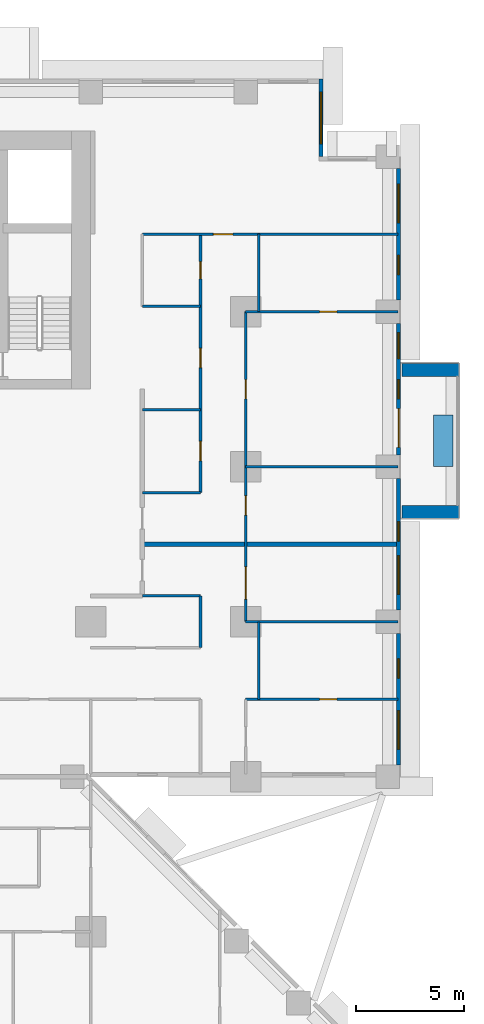
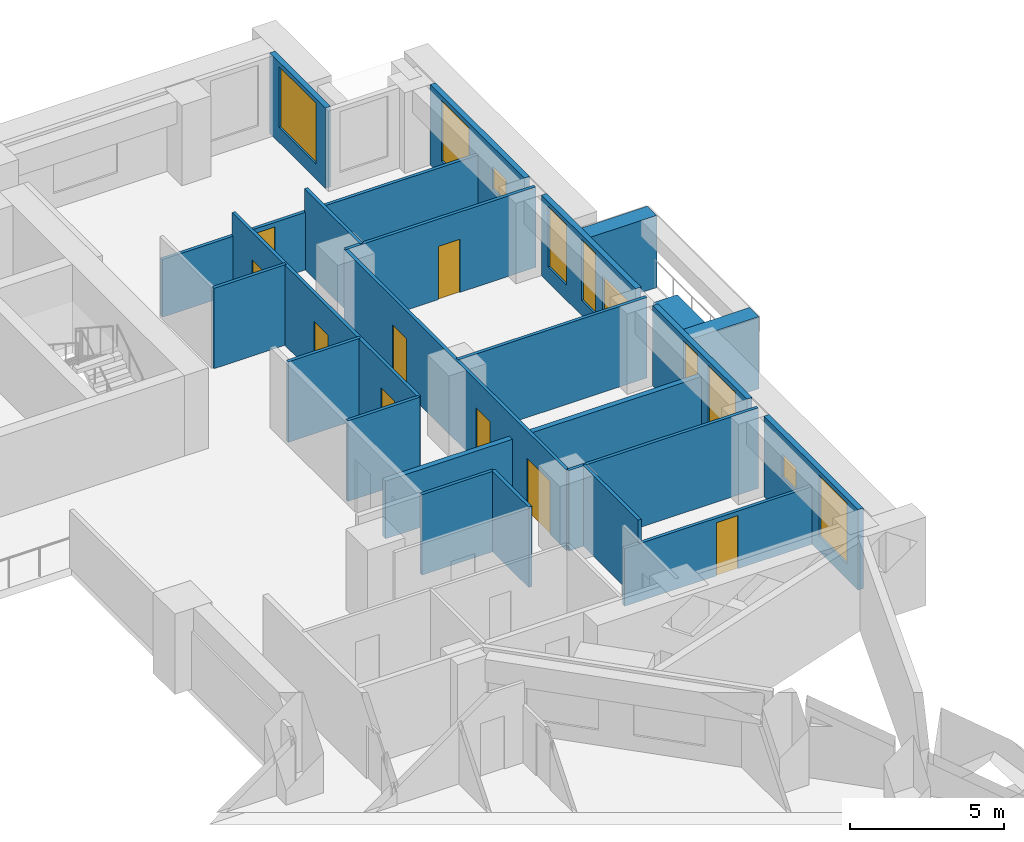
# One storey, part 12 of 17: 23 walls, 10 doors, 9 windows, 19 openings.
"""IFC4 building model written with IfcOpenShell, lengths in metres."""

from ifc_helpers import new_model, si_unit, direction, frame, frame_2d, origin, place, context, subcontext, project, spatial, rectangle, extrude, material, layer, layer_set, type_object, element, fill, save


model = new_model("IFC4")

# Units and contexts
model_context = context("Model", 3, precision=1e-05, world=origin(), true_north=direction((0.0, 1.0)))
body_context = subcontext(model_context, "Body", "Model", "MODEL_VIEW")
ifc_project = project(units=[si_unit("LENGTHUNIT", "METRE"), si_unit("AREAUNIT", "SQUARE_METRE"), si_unit("VOLUMEUNIT", "CUBIC_METRE"), si_unit("PLANEANGLEUNIT", "RADIAN"), si_unit("MASSUNIT", "GRAM", prefix="KILO")], contexts=[model_context])

# Site, building, storey
site_placement = place(None, origin())
site = spatial("IfcSite", under=ifc_project, at=site_placement, CompositionType="ELEMENT")
building_placement = place(site_placement, origin())
building = spatial("IfcBuilding", under=site, at=building_placement, Name="Saffron Iwan Residences", CompositionType="ELEMENT")
storey_placement = place(building_placement, frame((0.0, 0.0, 58.5)))
storey = spatial("IfcBuildingStorey", under=building, at=storey_placement, Name="L14", CompositionType="ELEMENT", Elevation=58.5)

# Walls
ifc_material_1 = material(Name="Concrete C50/60 white painted", Category="concrete")
ifc_layer_1 = layer(ifc_material_1, 0.60009765625)
ifc_layer_set_1 = layer_set([ifc_layer_1], Name="Concrete C50/60 white painted")
wall_type_1 = type_object("IfcWallType", Name="BALCONY FIN 600", PredefinedType="SOLIDWALL", material=ifc_layer_set_1)
for number, where, z_axis, x_axis, name in (
    (1, (86.449951171875, 60.300048828125, 0.0), (0.0, 0.0, 1.0), (1.0, 0.0, 0.0), "Balcony fin L14 F2-0a"),
    (2, (86.449951171875, 66.89990234375, 0.0), (0.0, 0.0, 1.0), (1.0, 0.0, 0.0), "Balcony fin L14 F2-0b"),
):
    element("IfcWall", number, at=place(storey_placement, frame(where, z_axis=z_axis, x_axis=x_axis)), inside=storey, type_object=wall_type_1, Name=name, PredefinedType="SOLIDWALL", context=body_context, shape_type="SweptSolid", body=[
        extrude(rectangle(XDim=2.650146484375, YDim=0.60009765625, at=frame_2d((1.3251953125, 0.0))), origin(), (0.0, 0.0, 1.0), 2.85009765625),
    ])
ifc_material_2 = material(Name="Concrete C35/45 white painted", Category="concrete")
ifc_layer_2 = layer(ifc_material_2, 0.14990234375)
ifc_layer_set_2 = layer_set([ifc_layer_2], Name="Concrete C35/45 white painted")
wall_type_2 = type_object("IfcWallType", Name="BALCONY PLANTER", PredefinedType="SOLIDWALL", material=ifc_layer_set_2)
wall_1_placement = place(storey_placement, frame((88.375, 62.39990234375, 0.0), z_axis=(0.0, 0.0, 1.0), x_axis=(0.0, 1.0, 0.0)))
element("IfcWall", 3, at=wall_1_placement, inside=storey, type_object=wall_type_2, Name="PLANTER L14 F2-0", PredefinedType="SOLIDWALL", context=body_context, shape_type="SweptSolid", body=[
    extrude(rectangle(XDim=2.400146484375, YDim=0.89990234375, at=frame_2d((1.2001953125, 0.0))), origin(), (0.0, 0.0, 1.0), 0.89990234375),
])

# Wall, openings, windows
ifc_material_3 = material(Name="Concrete C40/50", Category="concrete")
ifc_layer_3 = layer(ifc_material_3, 0.199951171875)
ifc_layer_set_3 = layer_set([ifc_layer_3], Name="Concrete C40/50")
wall_type_3 = type_object("IfcWallType", Name="EXTERNAL WALL 200", PredefinedType="SOLIDWALL", material=ifc_layer_set_3)
wall_2_placement = place(storey_placement, frame((86.300048828125, 48.550048828125, 0.0), z_axis=(0.0, 0.0, 1.0), x_axis=(0.0, 1.0, 0.0)))
wall_2 = element("IfcWall", 4, at=wall_2_placement, inside=storey, type_object=wall_type_3, Name="External wall L14 F2.0", PredefinedType="SOLIDWALL", context=body_context, shape_type="SweptSolid", body=[
    extrude(rectangle(XDim=6.099853515625, YDim=0.199951171875, at=frame_2d((3.0498046875, 0.0))), origin(), (0.0, 0.0, 1.0), 3.179931640625),
])
opening_1_placement = place(wall_2_placement, frame((0.72509765625, 0.0, 0.60009765625)))
opening_1 = element("IfcOpeningElement", 5, at=opening_1_placement, cuts=wall_2, Name="Opening W8", PredefinedType="OPENING", context=body_context, shape_type="SweptSolid", body=[
    extrude(rectangle(XDim=1.800048828125, YDim=2.39990234375, at=frame_2d((0.89990234375, 1.199951171875))), frame((0.0, 0.10986328125, 0.0), z_axis=(0.0, -1.0, 0.0), x_axis=(1.0, 0.0, 0.0)), (0.0, 0.0, 1.0), 0.219970703125),
])
opening_2_placement = place(wall_2_placement, frame((4.02490234375, 0.0, 1.5)))
opening_2 = element("IfcOpeningElement", 6, at=opening_2_placement, cuts=wall_2, Name="Opening W6", PredefinedType="OPENING", context=body_context, shape_type="SweptSolid", body=[
    extrude(rectangle(XDim=0.89990234375, YDim=0.89990234375, at=frame_2d((0.449951171875, 0.449951171875))), frame((0.0, 0.10986328125, 0.0), z_axis=(0.0, -1.0, 0.0), x_axis=(1.0, 0.0, 0.0)), (0.0, 0.0, 1.0), 0.219970703125),
])
ifc_material_4 = material(Name="Clear glass, laminated double glazed", Category="glass")
window_type_1 = type_object("IfcWindowType", Name="WINDOW 1800 x 2400", PartitioningType="DOUBLE_PANEL_VERTICAL", PredefinedType="WINDOW", material=ifc_material_4)
window_1_placement = place(opening_1_placement, origin())
window_1 = element("IfcWindow", 7, at=window_1_placement, inside=storey, type_object=window_type_1, Name="Window L14 F2.0", OverallHeight=2.39990234375, OverallWidth=1.800048828125, PartitioningType="DOUBLE_PANEL_VERTICAL", PredefinedType="WINDOW", context=body_context, shape_type="SweptSolid", body=[
    extrude(rectangle(XDim=1.800048828125, YDim=2.39990234375, at=frame_2d((0.89990234375, 1.199951171875))), frame((0.0, 0.030029296875, 0.0), z_axis=(0.0, -1.0, 0.0), x_axis=(1.0, 0.0, 0.0)), (0.0, 0.0, 1.0), 0.06005859375),
])
fill(opening_1, window_1)
window_type_2 = type_object("IfcWindowType", Name="WINDOW 900 x 900 BATH", PartitioningType="SINGLE_PANEL", PredefinedType="WINDOW", material=ifc_material_4)
window_2_placement = place(opening_2_placement, origin())
window_2 = element("IfcWindow", 8, at=window_2_placement, inside=storey, type_object=window_type_2, Name="Window L14 F2.1", OverallHeight=0.89990234375, OverallWidth=0.89990234375, PartitioningType="SINGLE_PANEL", PredefinedType="WINDOW", context=body_context, shape_type="SweptSolid", body=[
    extrude(rectangle(XDim=0.89990234375, YDim=0.89990234375, at=frame_2d((0.449951171875, 0.449951171875))), frame((0.0, 0.030029296875, 0.0), z_axis=(0.0, -1.0, 0.0), x_axis=(1.0, 0.0, 0.0)), (0.0, 0.0, 1.0), 0.06005859375),
])
fill(opening_2, window_2)

wall_3_placement = place(storey_placement, frame((86.300048828125, 55.75, 0.0), z_axis=(0.0, 0.0, 1.0), x_axis=(0.0, 1.0, 0.0)))
wall_3 = element("IfcWall", 9, at=wall_3_placement, inside=storey, type_object=wall_type_3, Name="External wall L14 F2.1", PredefinedType="SOLIDWALL", context=body_context, shape_type="SweptSolid", body=[
    extrude(rectangle(XDim=6.10009765625, YDim=0.199951171875, at=frame_2d((3.050048828125, 0.0))), origin(), (0.0, 0.0, 1.0), 3.179931640625),
])
opening_3_placement = place(wall_3_placement, frame((0.72509765625, 0.0, 0.60009765625)))
opening_3 = element("IfcOpeningElement", 10, at=opening_3_placement, cuts=wall_3, Name="Opening W8", PredefinedType="OPENING", context=body_context, shape_type="SweptSolid", body=[
    extrude(rectangle(XDim=1.800048828125, YDim=2.39990234375, at=frame_2d((0.89990234375, 1.199951171875))), frame((0.0, 0.10986328125, 0.0), z_axis=(0.0, -1.0, 0.0), x_axis=(1.0, 0.0, 0.0)), (0.0, 0.0, 1.0), 0.219970703125),
])
opening_4_placement = place(wall_3_placement, frame((3.199951171875, 0.0, 0.60009765625)))
opening_4 = element("IfcOpeningElement", 11, at=opening_4_placement, cuts=wall_3, Name="Opening W10", PredefinedType="OPENING", context=body_context, shape_type="SweptSolid", body=[
    extrude(rectangle(XDim=0.89990234375, YDim=2.39990234375, at=frame_2d((0.449951171875, 1.199951171875))), frame((0.0, 0.10986328125, 0.0), z_axis=(0.0, -1.0, 0.0), x_axis=(1.0, 0.0, 0.0)), (0.0, 0.0, 1.0), 0.219970703125),
])
window_3_placement = place(opening_3_placement, origin())
window_3 = element("IfcWindow", 12, at=window_3_placement, inside=storey, type_object=window_type_1, Name="Window L14 F2.0", OverallHeight=2.39990234375, OverallWidth=1.800048828125, PartitioningType="DOUBLE_PANEL_VERTICAL", PredefinedType="WINDOW", context=body_context, shape_type="SweptSolid", body=[
    extrude(rectangle(XDim=1.800048828125, YDim=2.39990234375, at=frame_2d((0.89990234375, 1.199951171875))), frame((0.0, 0.030029296875, 0.0), z_axis=(0.0, -1.0, 0.0), x_axis=(1.0, 0.0, 0.0)), (0.0, 0.0, 1.0), 0.06005859375),
])
fill(opening_3, window_3)
window_type_3 = type_object("IfcWindowType", Name="WINDOW 900 x 2400", PartitioningType="SINGLE_PANEL", PredefinedType="WINDOW", material=ifc_material_4)
window_4_placement = place(opening_4_placement, origin())
window_4 = element("IfcWindow", 13, at=window_4_placement, inside=storey, type_object=window_type_3, Name="Window L14 F2.1", OverallHeight=2.39990234375, OverallWidth=0.89990234375, PartitioningType="SINGLE_PANEL", PredefinedType="WINDOW", context=body_context, shape_type="SweptSolid", body=[
    extrude(rectangle(XDim=0.89990234375, YDim=2.39990234375, at=frame_2d((0.449951171875, 1.199951171875))), frame((0.0, 0.030029296875, 0.0), z_axis=(0.0, -1.0, 0.0), x_axis=(1.0, 0.0, 0.0)), (0.0, 0.0, 1.0), 0.06005859375),
])
fill(opening_4, window_4)

# Wall, openings, door, windows
wall_4_placement = place(storey_placement, frame((86.300048828125, 62.949951171875, 0.0), z_axis=(0.0, 0.0, 1.0), x_axis=(0.0, 1.0, 0.0)))
wall_4 = element("IfcWall", 14, at=wall_4_placement, inside=storey, type_object=wall_type_3, Name="External wall L14 F2.2", PredefinedType="SOLIDWALL", context=body_context, shape_type="SweptSolid", body=[
    extrude(rectangle(XDim=6.10009765625, YDim=0.199951171875, at=frame_2d((3.050048828125, 0.0))), origin(), (0.0, 0.0, 1.0), 3.179931640625),
])
opening_5_placement = place(wall_4_placement, frame((0.35009765625, 0.0, 0.0)))
opening_5 = element("IfcOpeningElement", 15, at=opening_5_placement, cuts=wall_4, Name="Opening BD1", PredefinedType="OPENING", context=body_context, shape_type="SweptSolid", body=[
    extrude(rectangle(XDim=1.800048828125, YDim=2.39990234375, at=frame_2d((0.89990234375, 1.199951171875))), frame((0.0, 0.10986328125, 0.0), z_axis=(0.0, -1.0, 0.0), x_axis=(1.0, 0.0, 0.0)), (0.0, 0.0, 1.0), 0.219970703125),
])
opening_6_placement = place(wall_4_placement, frame((2.60009765625, 0.0, 0.60009765625)))
opening_6 = element("IfcOpeningElement", 16, at=opening_6_placement, cuts=wall_4, Name="Opening W10", PredefinedType="OPENING", context=body_context, shape_type="SweptSolid", body=[
    extrude(rectangle(XDim=0.89990234375, YDim=2.39990234375, at=frame_2d((0.449951171875, 1.199951171875))), frame((0.0, 0.10986328125, 0.0), z_axis=(0.0, -1.0, 0.0), x_axis=(1.0, 0.0, 0.0)), (0.0, 0.0, 1.0), 0.219970703125),
])
opening_7_placement = place(wall_4_placement, frame((4.47509765625, 0.0, 0.60009765625)))
opening_7 = element("IfcOpeningElement", 17, at=opening_7_placement, cuts=wall_4, Name="Opening W3", PredefinedType="OPENING", context=body_context, shape_type="SweptSolid", body=[
    extrude(rectangle(XDim=1.199951171875, YDim=2.39990234375, at=frame_2d((0.60009765625, 1.199951171875))), frame((0.0, 0.10986328125, 0.0), z_axis=(0.0, -1.0, 0.0), x_axis=(1.0, 0.0, 0.0)), (0.0, 0.0, 1.0), 0.219970703125),
])
door_type_1 = type_object("IfcDoorType", Name="BALCONY DOOR 1800 x 2400", OperationType="DOUBLE_DOOR_SLIDING", PredefinedType="DOOR", material=ifc_material_4)
door_1_placement = place(opening_5_placement, origin())
door_1 = element("IfcDoor", 18, at=door_1_placement, inside=storey, type_object=door_type_1, Name="Balcony door L14 F2.0", OperationType="DOUBLE_DOOR_SLIDING", OverallHeight=2.39990234375, OverallWidth=1.800048828125, PredefinedType="DOOR", context=body_context, shape_type="SweptSolid", body=[
    extrude(rectangle(XDim=1.800048828125, YDim=2.39990234375, at=frame_2d((0.89990234375, 1.199951171875))), frame((0.0, 0.02490234375, 0.0), z_axis=(0.0, -1.0, 0.0), x_axis=(1.0, 0.0, 0.0)), (0.0, 0.0, 1.0), 0.050048828125),
])
fill(opening_5, door_1)
window_type_4 = type_object("IfcWindowType", Name="WINDOW 1200 x 2400", PartitioningType="SINGLE_PANEL", PredefinedType="WINDOW", material=ifc_material_4)
window_5_placement = place(opening_7_placement, origin())
window_5 = element("IfcWindow", 19, at=window_5_placement, inside=storey, type_object=window_type_4, Name="Window L14 F2.2", OverallHeight=2.39990234375, OverallWidth=1.199951171875, PartitioningType="SINGLE_PANEL", PredefinedType="WINDOW", context=body_context, shape_type="SweptSolid", body=[
    extrude(rectangle(XDim=1.199951171875, YDim=2.39990234375, at=frame_2d((0.60009765625, 1.199951171875))), frame((0.0, 0.030029296875, 0.0), z_axis=(0.0, -1.0, 0.0), x_axis=(1.0, 0.0, 0.0)), (0.0, 0.0, 1.0), 0.06005859375),
])
fill(opening_7, window_5)
window_6_placement = place(opening_6_placement, origin())
window_6 = element("IfcWindow", 20, at=window_6_placement, inside=storey, type_object=window_type_3, Name="Window L14 F2.1", OverallHeight=2.39990234375, OverallWidth=0.89990234375, PartitioningType="SINGLE_PANEL", PredefinedType="WINDOW", context=body_context, shape_type="SweptSolid", body=[
    extrude(rectangle(XDim=0.89990234375, YDim=2.39990234375, at=frame_2d((0.449951171875, 1.199951171875))), frame((0.0, 0.030029296875, 0.0), z_axis=(0.0, -1.0, 0.0), x_axis=(1.0, 0.0, 0.0)), (0.0, 0.0, 1.0), 0.06005859375),
])
fill(opening_6, window_6)

# Wall, openings, windows
wall_5_placement = place(storey_placement, frame((86.300048828125, 70.14990234375, 0.0), z_axis=(0.0, 0.0, 1.0), x_axis=(0.0, 1.0, 0.0)))
wall_5 = element("IfcWall", 21, at=wall_5_placement, inside=storey, type_object=wall_type_3, Name="External wall L14 F2.3", PredefinedType="SOLIDWALL", context=body_context, shape_type="SweptSolid", body=[
    extrude(rectangle(XDim=6.10009765625, YDim=0.199951171875, at=frame_2d((3.050048828125, 0.0))), origin(), (0.0, 0.0, 1.0), 3.179931640625),
])
opening_8_placement = place(wall_5_placement, frame((1.175048828125, 0.0, 1.5)))
opening_8 = element("IfcOpeningElement", 22, at=opening_8_placement, cuts=wall_5, Name="Opening W6", PredefinedType="OPENING", context=body_context, shape_type="SweptSolid", body=[
    extrude(rectangle(XDim=0.89990234375, YDim=0.89990234375, at=frame_2d((0.449951171875, 0.449951171875))), frame((0.0, 0.10986328125, 0.0), z_axis=(0.0, -1.0, 0.0), x_axis=(1.0, 0.0, 0.0)), (0.0, 0.0, 1.0), 0.219970703125),
])
opening_9_placement = place(wall_5_placement, frame((3.574951171875, 0.0, 0.60009765625)))
opening_9 = element("IfcOpeningElement", 23, at=opening_9_placement, cuts=wall_5, Name="Opening W8", PredefinedType="OPENING", context=body_context, shape_type="SweptSolid", body=[
    extrude(rectangle(XDim=1.800048828125, YDim=2.39990234375, at=frame_2d((0.89990234375, 1.199951171875))), frame((0.0, 0.10986328125, 0.0), z_axis=(0.0, -1.0, 0.0), x_axis=(1.0, 0.0, 0.0)), (0.0, 0.0, 1.0), 0.219970703125),
])
window_7_placement = place(opening_9_placement, origin())
window_7 = element("IfcWindow", 24, at=window_7_placement, inside=storey, type_object=window_type_1, Name="Window L14 F2.1", OverallHeight=2.39990234375, OverallWidth=1.800048828125, PartitioningType="DOUBLE_PANEL_VERTICAL", PredefinedType="WINDOW", context=body_context, shape_type="SweptSolid", body=[
    extrude(rectangle(XDim=1.800048828125, YDim=2.39990234375, at=frame_2d((0.89990234375, 1.199951171875))), frame((0.0, 0.030029296875, 0.0), z_axis=(0.0, -1.0, 0.0), x_axis=(1.0, 0.0, 0.0)), (0.0, 0.0, 1.0), 0.06005859375),
])
fill(opening_9, window_7)
window_8_placement = place(opening_8_placement, origin())
window_8 = element("IfcWindow", 25, at=window_8_placement, inside=storey, type_object=window_type_2, Name="Window L14 F2.0", OverallHeight=0.89990234375, OverallWidth=0.89990234375, PartitioningType="SINGLE_PANEL", PredefinedType="WINDOW", context=body_context, shape_type="SweptSolid", body=[
    extrude(rectangle(XDim=0.89990234375, YDim=0.89990234375, at=frame_2d((0.449951171875, 0.449951171875))), frame((0.0, 0.030029296875, 0.0), z_axis=(0.0, -1.0, 0.0), x_axis=(1.0, 0.0, 0.0)), (0.0, 0.0, 1.0), 0.06005859375),
])
fill(opening_8, window_8)

# Wall, opening, window
wall_6_placement = place(storey_placement, frame((82.699951171875, 76.800048828125, 0.0), z_axis=(0.0, 0.0, 1.0), x_axis=(0.0, 1.0, 0.0)))
wall_6 = element("IfcWall", 26, at=wall_6_placement, inside=storey, type_object=wall_type_3, Name="External wall L14 F4.0", PredefinedType="SOLIDWALL", context=body_context, shape_type="SweptSolid", body=[
    extrude(rectangle(XDim=3.599853515625, YDim=0.199951171875, at=frame_2d((1.7998046875, 0.0))), origin(), (0.0, 0.0, 1.0), 3.179931640625),
])
opening_10_placement = place(wall_6_placement, frame((0.60009765625, 0.0, 0.60009765625)))
opening_10 = element("IfcOpeningElement", 27, at=opening_10_placement, cuts=wall_6, Name="Opening W1", PredefinedType="OPENING", context=body_context, shape_type="SweptSolid", body=[
    extrude(rectangle(XDim=2.39990234375, YDim=2.39990234375, at=frame_2d((1.199951171875, 1.199951171875))), frame((0.0, 0.10986328125, 0.0), z_axis=(0.0, -1.0, 0.0), x_axis=(1.0, 0.0, 0.0)), (0.0, 0.0, 1.0), 0.219970703125),
])
window_type_5 = type_object("IfcWindowType", Name="WINDOW 2400 x 2400", PartitioningType="DOUBLE_PANEL_VERTICAL", PredefinedType="WINDOW", material=ifc_material_4)
window_9_placement = place(opening_10_placement, origin())
window_9 = element("IfcWindow", 28, at=window_9_placement, inside=storey, type_object=window_type_5, Name="Window L14 F4.0", OverallHeight=2.39990234375, OverallWidth=2.39990234375, PartitioningType="DOUBLE_PANEL_VERTICAL", PredefinedType="WINDOW", context=body_context, shape_type="SweptSolid", body=[
    extrude(rectangle(XDim=2.39990234375, YDim=2.39990234375, at=frame_2d((1.199951171875, 1.199951171875))), frame((0.0, 0.030029296875, 0.0), z_axis=(0.0, -1.0, 0.0), x_axis=(1.0, 0.0, 0.0)), (0.0, 0.0, 1.0), 0.06005859375),
])
fill(opening_10, window_9)

# Wall
ifc_material_5 = material(Name="Fire-rated gypsum board wall")
ifc_layer_4 = layer(ifc_material_5, 0.199951171875)
ifc_layer_set_4 = layer_set([ifc_layer_4], Name="Fire-rated gypsum board wall")
wall_type_4 = type_object("IfcWallType", Name="Flat demising wall 200", PredefinedType="SOLIDWALL", material=ifc_layer_set_4)
wall_7_placement = place(storey_placement, frame((74.39990234375, 58.800048828125, 0.0), z_axis=(0.0, 0.0, 1.0), x_axis=(1.0, 0.0, 0.0)))
element("IfcWall", 29, at=wall_7_placement, inside=storey, type_object=wall_type_4, Name="W-L14-DEMISE-h58.8-74.4", PredefinedType="SOLIDWALL", context=body_context, shape_type="SweptSolid", body=[
    extrude(rectangle(XDim=11.875, YDim=0.199951171875, at=frame_2d((5.9375, 0.0))), origin(), (0.0, 0.0, 1.0), 2.280029296875),
])

# Wall, opening, door
ifc_material_6 = material(Name="Gypsum board partition")
ifc_layer_5 = layer(ifc_material_6, 0.1201171875)
ifc_layer_set_5 = layer_set([ifc_layer_5], Name="Gypsum board partition")
wall_type_5 = type_object("IfcWallType", Name="Flat partition 120", PredefinedType="PARTITIONING", material=ifc_layer_set_5)
wall_8_placement = place(storey_placement, frame((79.199951171875, 51.60009765625, 0.0), z_axis=(0.0, 0.0, 1.0), x_axis=(1.0, 0.0, 0.0)))
wall_8 = element("IfcWall", 30, at=wall_8_placement, inside=storey, type_object=wall_type_5, Name="W-L14-PART-h51.6-79.2", PredefinedType="PARTITIONING", context=body_context, shape_type="SweptSolid", body=[
    extrude(rectangle(XDim=7.074951171875, YDim=0.1201171875, at=frame_2d((3.53759765625, 0.0))), origin(), (0.0, 0.0, 1.0), 2.280029296875),
])
opening_11_placement = place(wall_8_placement, frame((3.4375, 0.0, 0.0)))
opening_11 = element("IfcOpeningElement", 31, at=opening_11_placement, cuts=wall_8, Name="Opening FD3", PredefinedType="OPENING", context=body_context, shape_type="SweptSolid", body=[
    extrude(rectangle(XDim=0.800048828125, YDim=2.10009765625, at=frame_2d((0.39990234375, 1.050048828125))), frame((0.0, 0.070068359375, 0.0), z_axis=(0.0, -1.0, 0.0), x_axis=(1.0, 0.0, 0.0)), (0.0, 0.0, 1.0), 0.14013671875),
])
ifc_material_7 = material(Name="Timber door", Category="wood")
door_type_2 = type_object("IfcDoorType", Name="Bathroom door 800", OperationType="NOTDEFINED", PredefinedType="DOOR", material=ifc_material_7)
door_2_placement = place(opening_11_placement, origin())
door_2 = element("IfcDoor", 32, at=door_2_placement, inside=storey, type_object=door_type_2, Name="Door L14-023", OperationType="SINGLE_SWING_RIGHT", OverallHeight=2.10009765625, OverallWidth=0.800048828125, PredefinedType="DOOR", context=body_context, shape_type="SweptSolid", body=[
    extrude(rectangle(XDim=0.800048828125, YDim=2.10009765625, at=frame_2d((0.39990234375, 1.050048828125))), frame((0.0, 0.02490234375, 0.0), z_axis=(0.0, -1.0, 0.0), x_axis=(1.0, 0.0, 0.0)), (0.0, 0.0, 1.0), 0.050048828125),
])
fill(opening_11, door_2)

# Walls
wall_9_placement = place(storey_placement, frame((79.199951171875, 55.199951171875, 0.0), z_axis=(0.0, 0.0, 1.0), x_axis=(1.0, 0.0, 0.0)))
element("IfcWall", 33, at=wall_9_placement, inside=storey, type_object=wall_type_5, Name="W-L14-PART-h55.2-79.2", PredefinedType="PARTITIONING", context=body_context, shape_type="SweptSolid", body=[
    extrude(rectangle(XDim=7.074951171875, YDim=0.1201171875, at=frame_2d((3.53759765625, 0.0))), origin(), (0.0, 0.0, 1.0), 3.179931640625),
])
for number, where, z_axis, x_axis, name in (
    (34, (74.39990234375, 56.39990234375, 0.0), (0.0, 0.0, 1.0), (1.0, 0.0, 0.0), "W-L14-PART-h56.4-74.4"),
    (35, (74.39990234375, 61.199951171875, 0.0), (0.0, 0.0, 1.0), (1.0, 0.0, 0.0), "W-L14-PART-h61.2-74.4"),
):
    element("IfcWall", number, at=place(storey_placement, frame(where, z_axis=z_axis, x_axis=x_axis)), inside=storey, type_object=wall_type_5, Name=name, PredefinedType="PARTITIONING", context=body_context, shape_type="SweptSolid", body=[
        extrude(rectangle(XDim=2.7001953125, YDim=0.1201171875, at=frame_2d((1.35009765625, 0.0))), origin(), (0.0, 0.0, 1.0), 3.179931640625),
    ])
wall_10_placement = place(storey_placement, frame((79.199951171875, 62.39990234375, 0.0), z_axis=(0.0, 0.0, 1.0), x_axis=(1.0, 0.0, 0.0)))
element("IfcWall", 36, at=wall_10_placement, inside=storey, type_object=wall_type_5, Name="W-L14-PART-h62.4-79.2", PredefinedType="PARTITIONING", context=body_context, shape_type="SweptSolid", body=[
    extrude(rectangle(XDim=7.074951171875, YDim=0.1201171875, at=frame_2d((3.53759765625, 0.0))), origin(), (0.0, 0.0, 1.0), 3.179931640625),
])
wall_11_placement = place(storey_placement, frame((74.39990234375, 65.050048828125, 0.0), z_axis=(0.0, 0.0, 1.0), x_axis=(1.0, 0.0, 0.0)))
element("IfcWall", 37, at=wall_11_placement, inside=storey, type_object=wall_type_5, Name="W-L14-PART-h65.05-74.4", PredefinedType="PARTITIONING", context=body_context, shape_type="SweptSolid", body=[
    extrude(rectangle(XDim=2.7001953125, YDim=0.1201171875, at=frame_2d((1.35009765625, 0.0))), origin(), (0.0, 0.0, 1.0), 3.179931640625),
])

# Wall, opening, door
wall_12_placement = place(storey_placement, frame((79.199951171875, 69.60009765625, 0.0), z_axis=(0.0, 0.0, 1.0), x_axis=(1.0, 0.0, 0.0)))
wall_12 = element("IfcWall", 38, at=wall_12_placement, inside=storey, type_object=wall_type_5, Name="W-L14-PART-h69.6-79.2", PredefinedType="PARTITIONING", context=body_context, shape_type="SweptSolid", body=[
    extrude(rectangle(XDim=7.074951171875, YDim=0.1201171875, at=frame_2d((3.53759765625, 0.0))), origin(), (0.0, 0.0, 1.0), 3.179931640625),
])
opening_12_placement = place(wall_12_placement, frame((3.4375, 0.0, 0.0)))
opening_12 = element("IfcOpeningElement", 39, at=opening_12_placement, cuts=wall_12, Name="Opening FD3", PredefinedType="OPENING", context=body_context, shape_type="SweptSolid", body=[
    extrude(rectangle(XDim=0.800048828125, YDim=2.10009765625, at=frame_2d((0.39990234375, 1.050048828125))), frame((0.0, 0.070068359375, 0.0), z_axis=(0.0, -1.0, 0.0), x_axis=(1.0, 0.0, 0.0)), (0.0, 0.0, 1.0), 0.14013671875),
])
door_3_placement = place(opening_12_placement, origin())
door_3 = element("IfcDoor", 40, at=door_3_placement, inside=storey, type_object=door_type_2, Name="Door L14-039", OperationType="SINGLE_SWING_LEFT", OverallHeight=2.10009765625, OverallWidth=0.800048828125, PredefinedType="DOOR", context=body_context, shape_type="SweptSolid", body=[
    extrude(rectangle(XDim=0.800048828125, YDim=2.10009765625, at=frame_2d((0.39990234375, 1.050048828125))), frame((0.0, 0.02490234375, 0.0), z_axis=(0.0, -1.0, 0.0), x_axis=(1.0, 0.0, 0.0)), (0.0, 0.0, 1.0), 0.050048828125),
])
fill(opening_12, door_3)

# Wall
wall_13_placement = place(storey_placement, frame((74.39990234375, 69.85009765625, 0.0), z_axis=(0.0, 0.0, 1.0), x_axis=(1.0, 0.0, 0.0)))
element("IfcWall", 41, at=wall_13_placement, inside=storey, type_object=wall_type_5, Name="W-L14-PART-h69.85-74.4", PredefinedType="PARTITIONING", context=body_context, shape_type="SweptSolid", body=[
    extrude(rectangle(XDim=2.7001953125, YDim=0.1201171875, at=frame_2d((1.35009765625, 0.0))), origin(), (0.0, 0.0, 1.0), 3.179931640625),
])

# Wall, opening, door
wall_14_placement = place(storey_placement, frame((74.39990234375, 73.199951171875, 0.0), z_axis=(0.0, 0.0, 1.0), x_axis=(1.0, 0.0, 0.0)))
wall_14 = element("IfcWall", 42, at=wall_14_placement, inside=storey, type_object=wall_type_5, Name="W-L14-PART-h73.2-74.4", PredefinedType="PARTITIONING", context=body_context, shape_type="SweptSolid", body=[
    extrude(rectangle(XDim=11.875, YDim=0.1201171875, at=frame_2d((5.9375, 0.0))), origin(), (0.0, 0.0, 1.0), 2.280029296875),
])
opening_13_placement = place(wall_14_placement, frame((3.300048828125, 0.0, 0.0)))
opening_13 = element("IfcOpeningElement", 43, at=opening_13_placement, cuts=wall_14, Name="Opening FD2", PredefinedType="OPENING", context=body_context, shape_type="SweptSolid", body=[
    extrude(rectangle(XDim=0.89990234375, YDim=2.10009765625, at=frame_2d((0.449951171875, 1.050048828125))), frame((0.0, 0.070068359375, 0.0), z_axis=(0.0, -1.0, 0.0), x_axis=(1.0, 0.0, 0.0)), (0.0, 0.0, 1.0), 0.14013671875),
])
door_type_3 = type_object("IfcDoorType", Name="Flat door 900", OperationType="NOTDEFINED", PredefinedType="DOOR", material=ifc_material_7)
door_4_placement = place(opening_13_placement, origin())
door_4 = element("IfcDoor", 44, at=door_4_placement, inside=storey, type_object=door_type_3, Name="Door L14-040", OperationType="SINGLE_SWING_LEFT", OverallHeight=2.10009765625, OverallWidth=0.89990234375, PredefinedType="DOOR", context=body_context, shape_type="SweptSolid", body=[
    extrude(rectangle(XDim=0.89990234375, YDim=2.10009765625, at=frame_2d((0.449951171875, 1.050048828125))), frame((0.0, 0.02490234375, 0.0), z_axis=(0.0, -1.0, 0.0), x_axis=(1.0, 0.0, 0.0)), (0.0, 0.0, 1.0), 0.050048828125),
])
fill(opening_13, door_4)

# Wall
wall_15_placement = place(storey_placement, frame((77.10009765625, 54.0, 0.0), z_axis=(0.0, 0.0, 1.0), x_axis=(0.0, 1.0, 0.0)))
element("IfcWall", 45, at=wall_15_placement, inside=storey, type_object=wall_type_5, Name="W-L14-PART-v77.1-54", PredefinedType="PARTITIONING", context=body_context, shape_type="SweptSolid", body=[
    extrude(rectangle(XDim=2.39990234375, YDim=0.1201171875, at=frame_2d((1.199951171875, 0.0))), origin(), (0.0, 0.0, 1.0), 3.179931640625),
])

# Wall, openings, doors
wall_16_placement = place(storey_placement, frame((77.10009765625, 61.199951171875, 0.0), z_axis=(0.0, 0.0, 1.0), x_axis=(0.0, 1.0, 0.0)))
wall_16 = element("IfcWall", 46, at=wall_16_placement, inside=storey, type_object=wall_type_5, Name="W-L14-PART-v77.1-61.2", PredefinedType="PARTITIONING", context=body_context, shape_type="SweptSolid", body=[
    extrude(rectangle(XDim=12.0, YDim=0.1201171875, at=frame_2d((6.0, 0.0))), origin(), (0.0, 0.0, 1.0), 3.179931640625),
])
opening_14_placement = place(wall_16_placement, frame((1.47509765625, 0.0, 0.0)))
opening_14 = element("IfcOpeningElement", 47, at=opening_14_placement, cuts=wall_16, Name="Opening FD2", PredefinedType="OPENING", context=body_context, shape_type="SweptSolid", body=[
    extrude(rectangle(XDim=0.89990234375, YDim=2.10009765625, at=frame_2d((0.449951171875, 1.050048828125))), frame((0.0, 0.070068359375, 0.0), z_axis=(0.0, -1.0, 0.0), x_axis=(1.0, 0.0, 0.0)), (0.0, 0.0, 1.0), 0.14013671875),
])
opening_15_placement = place(wall_16_placement, frame((5.800048828125, 0.0, 0.0)))
opening_15 = element("IfcOpeningElement", 48, at=opening_15_placement, cuts=wall_16, Name="Opening FD2", PredefinedType="OPENING", context=body_context, shape_type="SweptSolid", body=[
    extrude(rectangle(XDim=0.89990234375, YDim=2.10009765625, at=frame_2d((0.449951171875, 1.050048828125))), frame((0.0, 0.070068359375, 0.0), z_axis=(0.0, -1.0, 0.0), x_axis=(1.0, 0.0, 0.0)), (0.0, 0.0, 1.0), 0.14013671875),
])
opening_16_placement = place(wall_16_placement, frame((9.925048828125, 0.0, 0.0)))
opening_16 = element("IfcOpeningElement", 49, at=opening_16_placement, cuts=wall_16, Name="Opening FD3", PredefinedType="OPENING", context=body_context, shape_type="SweptSolid", body=[
    extrude(rectangle(XDim=0.800048828125, YDim=2.10009765625, at=frame_2d((0.39990234375, 1.050048828125))), frame((0.0, 0.070068359375, 0.0), z_axis=(0.0, -1.0, 0.0), x_axis=(1.0, 0.0, 0.0)), (0.0, 0.0, 1.0), 0.14013671875),
])
door_5_placement = place(opening_16_placement, origin())
door_5 = element("IfcDoor", 50, at=door_5_placement, inside=storey, type_object=door_type_2, Name="Door L14-043", OperationType="SINGLE_SWING_LEFT", OverallHeight=2.10009765625, OverallWidth=0.800048828125, PredefinedType="DOOR", context=body_context, shape_type="SweptSolid", body=[
    extrude(rectangle(XDim=0.800048828125, YDim=2.10009765625, at=frame_2d((0.39990234375, 1.050048828125))), frame((0.0, 0.02490234375, 0.0), z_axis=(0.0, -1.0, 0.0), x_axis=(1.0, 0.0, 0.0)), (0.0, 0.0, 1.0), 0.050048828125),
])
fill(opening_16, door_5)
door_6_placement = place(opening_14_placement, origin())
door_6 = element("IfcDoor", 51, at=door_6_placement, inside=storey, type_object=door_type_3, Name="Door L14-041", OperationType="SINGLE_SWING_RIGHT", OverallHeight=2.10009765625, OverallWidth=0.89990234375, PredefinedType="DOOR", context=body_context, shape_type="SweptSolid", body=[
    extrude(rectangle(XDim=0.89990234375, YDim=2.10009765625, at=frame_2d((0.449951171875, 1.050048828125))), frame((0.0, 0.02490234375, 0.0), z_axis=(0.0, -1.0, 0.0), x_axis=(1.0, 0.0, 0.0)), (0.0, 0.0, 1.0), 0.050048828125),
])
fill(opening_14, door_6)
door_7_placement = place(opening_15_placement, origin())
door_7 = element("IfcDoor", 52, at=door_7_placement, inside=storey, type_object=door_type_3, Name="Door L14-042", OperationType="SINGLE_SWING_LEFT", OverallHeight=2.10009765625, OverallWidth=0.89990234375, PredefinedType="DOOR", context=body_context, shape_type="SweptSolid", body=[
    extrude(rectangle(XDim=0.89990234375, YDim=2.10009765625, at=frame_2d((0.449951171875, 1.050048828125))), frame((0.0, 0.02490234375, 0.0), z_axis=(0.0, -1.0, 0.0), x_axis=(1.0, 0.0, 0.0)), (0.0, 0.0, 1.0), 0.050048828125),
])
fill(opening_15, door_7)

wall_17_placement = place(storey_placement, frame((79.199951171875, 55.199951171875, 0.0), z_axis=(0.0, 0.0, 1.0), x_axis=(0.0, 1.0, 0.0)))
wall_17 = element("IfcWall", 53, at=wall_17_placement, inside=storey, type_object=wall_type_5, Name="W-L14-PART-v79.2-55.2", PredefinedType="PARTITIONING", context=body_context, shape_type="SweptSolid", body=[
    extrude(rectangle(XDim=14.400146484375, YDim=0.1201171875, at=frame_2d((7.2001953125, 0.0))), origin(), (0.0, 0.0, 1.0), 3.179931640625),
])
opening_17_placement = place(wall_17_placement, frame((1.050048828125, 0.0, 0.0)))
opening_17 = element("IfcOpeningElement", 54, at=opening_17_placement, cuts=wall_17, Name="Opening FD4", PredefinedType="OPENING", context=body_context, shape_type="SweptSolid", body=[
    extrude(rectangle(XDim=1.5, YDim=2.10009765625, at=frame_2d((0.75, 1.050048828125))), frame((0.0, 0.070068359375, 0.0), z_axis=(0.0, -1.0, 0.0), x_axis=(1.0, 0.0, 0.0)), (0.0, 0.0, 1.0), 0.14013671875),
])
opening_18_placement = place(wall_17_placement, frame((4.949951171875, 0.0, 0.0)))
opening_18 = element("IfcOpeningElement", 55, at=opening_18_placement, cuts=wall_17, Name="Opening FD2", PredefinedType="OPENING", context=body_context, shape_type="SweptSolid", body=[
    extrude(rectangle(XDim=0.89990234375, YDim=2.10009765625, at=frame_2d((0.449951171875, 1.050048828125))), frame((0.0, 0.070068359375, 0.0), z_axis=(0.0, -1.0, 0.0), x_axis=(1.0, 0.0, 0.0)), (0.0, 0.0, 1.0), 0.14013671875),
])
opening_19_placement = place(wall_17_placement, frame((10.35009765625, 0.0, 0.0)))
opening_19 = element("IfcOpeningElement", 56, at=opening_19_placement, cuts=wall_17, Name="Opening FD2", PredefinedType="OPENING", context=body_context, shape_type="SweptSolid", body=[
    extrude(rectangle(XDim=0.89990234375, YDim=2.10009765625, at=frame_2d((0.449951171875, 1.050048828125))), frame((0.0, 0.070068359375, 0.0), z_axis=(0.0, -1.0, 0.0), x_axis=(1.0, 0.0, 0.0)), (0.0, 0.0, 1.0), 0.14013671875),
])
door_type_4 = type_object("IfcDoorType", Name="Double door 1500", OperationType="NOTDEFINED", PredefinedType="DOOR", material=ifc_material_7)
door_8_placement = place(opening_17_placement, origin())
door_8 = element("IfcDoor", 57, at=door_8_placement, inside=storey, type_object=door_type_4, Name="Door L14-024", OperationType="SINGLE_SWING_LEFT", OverallHeight=2.10009765625, OverallWidth=1.5, PredefinedType="DOOR", context=body_context, shape_type="SweptSolid", body=[
    extrude(rectangle(XDim=1.5, YDim=2.10009765625, at=frame_2d((0.75, 1.050048828125))), frame((0.0, 0.02490234375, 0.0), z_axis=(0.0, -1.0, 0.0), x_axis=(1.0, 0.0, 0.0)), (0.0, 0.0, 1.0), 0.050048828125),
])
fill(opening_17, door_8)
door_9_placement = place(opening_18_placement, origin())
door_9 = element("IfcDoor", 58, at=door_9_placement, inside=storey, type_object=door_type_3, Name="Door L14-037", OperationType="SINGLE_SWING_LEFT", OverallHeight=2.10009765625, OverallWidth=0.89990234375, PredefinedType="DOOR", context=body_context, shape_type="SweptSolid", body=[
    extrude(rectangle(XDim=0.89990234375, YDim=2.10009765625, at=frame_2d((0.449951171875, 1.050048828125))), frame((0.0, 0.02490234375, 0.0), z_axis=(0.0, -1.0, 0.0), x_axis=(1.0, 0.0, 0.0)), (0.0, 0.0, 1.0), 0.050048828125),
])
fill(opening_18, door_9)
door_10_placement = place(opening_19_placement, origin())
door_10 = element("IfcDoor", 59, at=door_10_placement, inside=storey, type_object=door_type_3, Name="Door L14-038", OperationType="SINGLE_SWING_RIGHT", OverallHeight=2.10009765625, OverallWidth=0.89990234375, PredefinedType="DOOR", context=body_context, shape_type="SweptSolid", body=[
    extrude(rectangle(XDim=0.89990234375, YDim=2.10009765625, at=frame_2d((0.449951171875, 1.050048828125))), frame((0.0, 0.02490234375, 0.0), z_axis=(0.0, -1.0, 0.0), x_axis=(1.0, 0.0, 0.0)), (0.0, 0.0, 1.0), 0.050048828125),
])
fill(opening_19, door_10)

# Walls
for number, where, z_axis, x_axis, name in (
    (60, (79.800048828125, 51.60009765625, 0.0), (0.0, 0.0, 1.0), (0.0, 1.0, 0.0), "W-L14-PART-v79.8-51.6"),
    (61, (79.800048828125, 69.60009765625, 0.0), (0.0, 0.0, 1.0), (0.0, 1.0, 0.0), "W-L14-PART-v79.8-69.6"),
):
    element("IfcWall", number, at=place(storey_placement, frame(where, z_axis=z_axis, x_axis=x_axis)), inside=storey, type_object=wall_type_5, Name=name, PredefinedType="PARTITIONING", context=body_context, shape_type="SweptSolid", body=[
        extrude(rectangle(XDim=3.599853515625, YDim=0.1201171875, at=frame_2d((1.7998046875, 0.0))), origin(), (0.0, 0.0, 1.0), 3.179931640625),
    ])

save(model, "model.ifc")
